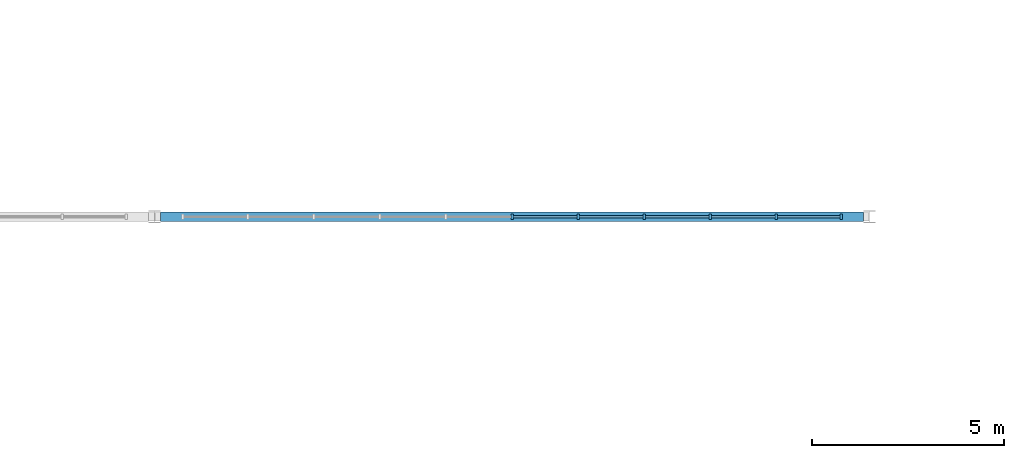
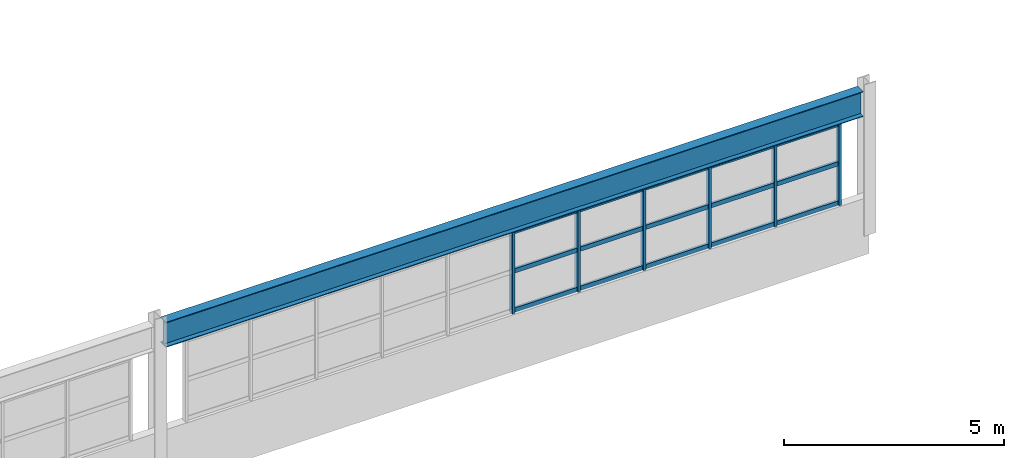
# One storey, part 22 of 92: 21 members, 1 beam, 1 element without a shape of its own.
"""IFC4 building model written with IfcOpenShell, lengths in metres."""

from ifc_helpers import new_model, si_unit, direction, frame, origin, origin_2d, place, context, subcontext, project, spatial, rectangle, i_section, extrude, material, material_profile, profile_set, type_object, element, aggregate, save


model = new_model("IFC4")

# Units and contexts
model_context = context("Model", 3, precision=1e-05, world=origin(), true_north=direction((0.0, 1.0)))
body_context = subcontext(model_context, "Body", "Model", "MODEL_VIEW")
ifc_project = project(units=[si_unit("LENGTHUNIT", "METRE"), si_unit("AREAUNIT", "SQUARE_METRE"), si_unit("VOLUMEUNIT", "CUBIC_METRE"), si_unit("PLANEANGLEUNIT", "RADIAN"), si_unit("MASSUNIT", "GRAM", prefix="KILO")], contexts=[model_context])

# Site, building, storey
site_placement = place(None, origin())
site = spatial("IfcSite", under=ifc_project, at=site_placement, CompositionType="ELEMENT")
building_placement = place(site_placement, origin())
building = spatial("IfcBuilding", under=site, at=building_placement, Name="Solanera Park Tramway Depot", CompositionType="ELEMENT")
storey_placement = place(building_placement, frame((0.0, 0.0, 4.800048828125)))
storey = spatial("IfcBuildingStorey", under=building, at=storey_placement, Name="L01", CompositionType="ELEMENT", Elevation=4.800048828125)

# Curtain wall, members
ifc_material_1 = material(Name="Bronze-anodised thermally broken aluminium curtain wall", Category="aluminium")
curtain_wall_type = type_object("IfcCurtainWallType", Name="Workshop Daylight Ribbon Curtain Wall", PredefinedType="NOTDEFINED", material=ifc_material_1)
curtain_wall_placement = place(storey_placement, origin())
curtain_wall = element("IfcCurtainWall", 1, at=curtain_wall_placement, inside=storey, type_object=curtain_wall_type, Name="L01 Workshop Daylight Ribbon Curtain Wall #150", PredefinedType="NOTDEFINED")
ifc_material_2 = material(Name="Bronze-anodised structural aluminium 6063-T6", Category="aluminium")
ifc_material_profile_1 = material_profile(ifc_material_2, rectangle(XDim=0.06494140625, YDim=0.14990234375, at=origin_2d()), Name="Curtain Wall Mullion 65x150")
ifc_profile_set_1 = profile_set([ifc_material_profile_1], Name="Bronze-anodised structural aluminium 6063-T6")
member_type_1 = type_object("IfcMemberType", Name="Curtain Wall Mullion 65x150", PredefinedType="MULLION", material=ifc_profile_set_1)
member_1_placement = place(storey_placement, frame((92.867431640625, 54.0, 1.0), z_axis=(0.0, 0.0, 1.0), x_axis=(1.0, 0.0, 0.0)))
member_1 = element("IfcMember", 2, at=member_1_placement, type_object=member_type_1, Name="CW-L01-150 Mullion 1", PredefinedType="MULLION", context=body_context, shape_type="SweptSolid", body=[
    extrude(rectangle(XDim=0.06494140625, YDim=0.14990234375, at=origin_2d()), origin(), (0.0, 0.0, 1.0), 2.300048828125),
])
member_2_placement = place(storey_placement, frame((91.179931640625, 54.0, 1.0), z_axis=(0.0, 0.0, 1.0), x_axis=(1.0, 0.0, 0.0)))
member_2 = element("IfcMember", 3, at=member_2_placement, type_object=member_type_1, Name="CW-L01-150 Mullion 2", PredefinedType="MULLION", context=body_context, shape_type="SweptSolid", body=[
    extrude(rectangle(XDim=0.06494140625, YDim=0.14990234375, at=origin_2d()), origin(), (0.0, 0.0, 1.0), 2.300048828125),
])
member_3_placement = place(storey_placement, frame((89.4599609375, 54.0, 1.0), z_axis=(0.0, 0.0, 1.0), x_axis=(1.0, 0.0, 0.0)))
member_3 = element("IfcMember", 4, at=member_3_placement, type_object=member_type_1, Name="CW-L01-150 Mullion 3", PredefinedType="MULLION", context=body_context, shape_type="SweptSolid", body=[
    extrude(rectangle(XDim=0.06494140625, YDim=0.14990234375, at=origin_2d()), origin(), (0.0, 0.0, 1.0), 2.300048828125),
])
member_4_placement = place(storey_placement, frame((87.739990234375, 54.0, 1.0), z_axis=(0.0, 0.0, 1.0), x_axis=(1.0, 0.0, 0.0)))
member_4 = element("IfcMember", 5, at=member_4_placement, type_object=member_type_1, Name="CW-L01-150 Mullion 4", PredefinedType="MULLION", context=body_context, shape_type="SweptSolid", body=[
    extrude(rectangle(XDim=0.06494140625, YDim=0.14990234375, at=origin_2d()), origin(), (0.0, 0.0, 1.0), 2.300048828125),
])
member_5_placement = place(storey_placement, frame((86.02001953125, 54.0, 1.0), z_axis=(0.0, 0.0, 1.0), x_axis=(1.0, 0.0, 0.0)))
member_5 = element("IfcMember", 6, at=member_5_placement, type_object=member_type_1, Name="CW-L01-150 Mullion 5", PredefinedType="MULLION", context=body_context, shape_type="SweptSolid", body=[
    extrude(rectangle(XDim=0.06494140625, YDim=0.14990234375, at=origin_2d()), origin(), (0.0, 0.0, 1.0), 2.300048828125),
])
member_6_placement = place(storey_placement, frame((84.300048828125, 54.0, 1.0), z_axis=(0.0, 0.0, 1.0), x_axis=(1.0, 0.0, 0.0)))
member_6 = element("IfcMember", 7, at=member_6_placement, type_object=member_type_1, Name="CW-L01-150 Mullion 6", PredefinedType="MULLION", context=body_context, shape_type="SweptSolid", body=[
    extrude(rectangle(XDim=0.06494140625, YDim=0.14990234375, at=origin_2d()), origin(), (0.0, 0.0, 1.0), 2.300048828125),
])
ifc_material_3 = material(Name="Bronze-anodised structural aluminium 6063-T6", Category="aluminium")
ifc_material_profile_2 = material_profile(ifc_material_3, rectangle(XDim=0.06494140625, YDim=0.1201171875, at=origin_2d()), Name="Curtain Wall Transom 65x120")
ifc_profile_set_2 = profile_set([ifc_material_profile_2], Name="Bronze-anodised structural aluminium 6063-T6")
member_type_2 = type_object("IfcMemberType", Name="Curtain Wall Transom 65x120", PredefinedType="USERDEFINED", material=ifc_profile_set_2)
member_7_placement = place(storey_placement, frame((92.839599609375, 54.0, 1.06005859375), z_axis=(-1.0, 0.0, 0.0), x_axis=(0.0, -1.0, 0.0)))
member_7 = element("IfcMember", 8, at=member_7_placement, type_object=member_type_2, Name="CW-L01-150 Transom R1.C1", ObjectType="TRANSOM", PredefinedType="USERDEFINED", context=body_context, shape_type="SweptSolid", body=[
    extrude(rectangle(XDim=0.06494140625, YDim=0.1201171875, at=origin_2d()), origin(), (0.0, 0.0, 1.0), 1.631591796875),
])
member_8_placement = place(storey_placement, frame((91.152099609375, 54.0, 1.06005859375), z_axis=(-1.0, 0.0, 0.0), x_axis=(0.0, -1.0, 0.0)))
member_8 = element("IfcMember", 9, at=member_8_placement, type_object=member_type_2, Name="CW-L01-150 Transom R1.C2", ObjectType="TRANSOM", PredefinedType="USERDEFINED", context=body_context, shape_type="SweptSolid", body=[
    extrude(rectangle(XDim=0.06494140625, YDim=0.1201171875, at=origin_2d()), origin(), (0.0, 0.0, 1.0), 1.6640625),
])
member_9_placement = place(storey_placement, frame((89.431884765625, 54.0, 1.06005859375), z_axis=(-1.0, 0.0, 0.0), x_axis=(0.0, -1.0, 0.0)))
member_9 = element("IfcMember", 10, at=member_9_placement, type_object=member_type_2, Name="CW-L01-150 Transom R1.C3", ObjectType="TRANSOM", PredefinedType="USERDEFINED", context=body_context, shape_type="SweptSolid", body=[
    extrude(rectangle(XDim=0.06494140625, YDim=0.1201171875, at=origin_2d()), origin(), (0.0, 0.0, 1.0), 1.663818359375),
])
member_10_placement = place(storey_placement, frame((87.7119140625, 54.0, 1.06005859375), z_axis=(-1.0, 0.0, 0.0), x_axis=(0.0, -1.0, 0.0)))
member_10 = element("IfcMember", 11, at=member_10_placement, type_object=member_type_2, Name="CW-L01-150 Transom R1.C4", ObjectType="TRANSOM", PredefinedType="USERDEFINED", context=body_context, shape_type="SweptSolid", body=[
    extrude(rectangle(XDim=0.06494140625, YDim=0.1201171875, at=origin_2d()), origin(), (0.0, 0.0, 1.0), 1.663818359375),
])
member_11_placement = place(storey_placement, frame((85.991943359375, 54.0, 1.06005859375), z_axis=(-1.0, 0.0, 0.0), x_axis=(0.0, -1.0, 0.0)))
member_11 = element("IfcMember", 12, at=member_11_placement, type_object=member_type_2, Name="CW-L01-150 Transom R1.C5", ObjectType="TRANSOM", PredefinedType="USERDEFINED", context=body_context, shape_type="SweptSolid", body=[
    extrude(rectangle(XDim=0.06494140625, YDim=0.1201171875, at=origin_2d()), origin(), (0.0, 0.0, 1.0), 1.6640625),
])
member_12_placement = place(storey_placement, frame((92.839599609375, 54.0, 2.14990234375), z_axis=(-1.0, 0.0, 0.0), x_axis=(0.0, -1.0, 0.0)))
member_12 = element("IfcMember", 13, at=member_12_placement, type_object=member_type_2, Name="CW-L01-150 Transom R2.C1", ObjectType="TRANSOM", PredefinedType="USERDEFINED", context=body_context, shape_type="SweptSolid", body=[
    extrude(rectangle(XDim=0.06494140625, YDim=0.1201171875, at=origin_2d()), origin(), (0.0, 0.0, 1.0), 1.631591796875),
])
member_13_placement = place(storey_placement, frame((91.152099609375, 54.0, 2.14990234375), z_axis=(-1.0, 0.0, 0.0), x_axis=(0.0, -1.0, 0.0)))
member_13 = element("IfcMember", 14, at=member_13_placement, type_object=member_type_2, Name="CW-L01-150 Transom R2.C2", ObjectType="TRANSOM", PredefinedType="USERDEFINED", context=body_context, shape_type="SweptSolid", body=[
    extrude(rectangle(XDim=0.06494140625, YDim=0.1201171875, at=origin_2d()), origin(), (0.0, 0.0, 1.0), 1.6640625),
])
member_14_placement = place(storey_placement, frame((89.431884765625, 54.0, 2.14990234375), z_axis=(-1.0, 0.0, 0.0), x_axis=(0.0, -1.0, 0.0)))
member_14 = element("IfcMember", 15, at=member_14_placement, type_object=member_type_2, Name="CW-L01-150 Transom R2.C3", ObjectType="TRANSOM", PredefinedType="USERDEFINED", context=body_context, shape_type="SweptSolid", body=[
    extrude(rectangle(XDim=0.06494140625, YDim=0.1201171875, at=origin_2d()), origin(), (0.0, 0.0, 1.0), 1.663818359375),
])
member_15_placement = place(storey_placement, frame((87.7119140625, 54.0, 2.14990234375), z_axis=(-1.0, 0.0, 0.0), x_axis=(0.0, -1.0, 0.0)))
member_15 = element("IfcMember", 16, at=member_15_placement, type_object=member_type_2, Name="CW-L01-150 Transom R2.C4", ObjectType="TRANSOM", PredefinedType="USERDEFINED", context=body_context, shape_type="SweptSolid", body=[
    extrude(rectangle(XDim=0.06494140625, YDim=0.1201171875, at=origin_2d()), origin(), (0.0, 0.0, 1.0), 1.663818359375),
])
member_16_placement = place(storey_placement, frame((85.991943359375, 54.0, 2.14990234375), z_axis=(-1.0, 0.0, 0.0), x_axis=(0.0, -1.0, 0.0)))
member_16 = element("IfcMember", 17, at=member_16_placement, type_object=member_type_2, Name="CW-L01-150 Transom R2.C5", ObjectType="TRANSOM", PredefinedType="USERDEFINED", context=body_context, shape_type="SweptSolid", body=[
    extrude(rectangle(XDim=0.06494140625, YDim=0.1201171875, at=origin_2d()), origin(), (0.0, 0.0, 1.0), 1.6640625),
])
member_17_placement = place(storey_placement, frame((92.839599609375, 54.0, 3.239990234375), z_axis=(-1.0, 0.0, 0.0), x_axis=(0.0, -1.0, 0.0)))
member_17 = element("IfcMember", 18, at=member_17_placement, type_object=member_type_2, Name="CW-L01-150 Transom R3.C1", ObjectType="TRANSOM", PredefinedType="USERDEFINED", context=body_context, shape_type="SweptSolid", body=[
    extrude(rectangle(XDim=0.06494140625, YDim=0.1201171875, at=origin_2d()), origin(), (0.0, 0.0, 1.0), 1.631591796875),
])
member_18_placement = place(storey_placement, frame((91.152099609375, 54.0, 3.239990234375), z_axis=(-1.0, 0.0, 0.0), x_axis=(0.0, -1.0, 0.0)))
member_18 = element("IfcMember", 19, at=member_18_placement, type_object=member_type_2, Name="CW-L01-150 Transom R3.C2", ObjectType="TRANSOM", PredefinedType="USERDEFINED", context=body_context, shape_type="SweptSolid", body=[
    extrude(rectangle(XDim=0.06494140625, YDim=0.1201171875, at=origin_2d()), origin(), (0.0, 0.0, 1.0), 1.6640625),
])
member_19_placement = place(storey_placement, frame((89.431884765625, 54.0, 3.239990234375), z_axis=(-1.0, 0.0, 0.0), x_axis=(0.0, -1.0, 0.0)))
member_19 = element("IfcMember", 20, at=member_19_placement, type_object=member_type_2, Name="CW-L01-150 Transom R3.C3", ObjectType="TRANSOM", PredefinedType="USERDEFINED", context=body_context, shape_type="SweptSolid", body=[
    extrude(rectangle(XDim=0.06494140625, YDim=0.1201171875, at=origin_2d()), origin(), (0.0, 0.0, 1.0), 1.663818359375),
])
member_20_placement = place(storey_placement, frame((87.7119140625, 54.0, 3.239990234375), z_axis=(-1.0, 0.0, 0.0), x_axis=(0.0, -1.0, 0.0)))
member_20 = element("IfcMember", 21, at=member_20_placement, type_object=member_type_2, Name="CW-L01-150 Transom R3.C4", ObjectType="TRANSOM", PredefinedType="USERDEFINED", context=body_context, shape_type="SweptSolid", body=[
    extrude(rectangle(XDim=0.06494140625, YDim=0.1201171875, at=origin_2d()), origin(), (0.0, 0.0, 1.0), 1.663818359375),
])
member_21_placement = place(storey_placement, frame((85.991943359375, 54.0, 3.239990234375), z_axis=(-1.0, 0.0, 0.0), x_axis=(0.0, -1.0, 0.0)))
member_21 = element("IfcMember", 22, at=member_21_placement, type_object=member_type_2, Name="CW-L01-150 Transom R3.C5", ObjectType="TRANSOM", PredefinedType="USERDEFINED", context=body_context, shape_type="SweptSolid", body=[
    extrude(rectangle(XDim=0.06494140625, YDim=0.1201171875, at=origin_2d()), origin(), (0.0, 0.0, 1.0), 1.6640625),
])
aggregate(curtain_wall, [member_1, member_2, member_3, member_4, member_5, member_6, member_7, member_8, member_9, member_10, member_11, member_12, member_13, member_14, member_15, member_16, member_17, member_18, member_19, member_20, member_21])

# Beam
ifc_material_4 = material(Name="Steel AS/NZS 3679.1 Grade 350", Category="steel")
ifc_material_profile_3 = material_profile(ifc_material_4, i_section(OverallWidth=0.25, OverallDepth=0.699951171875, WebThickness=0.010009765625, FlangeThickness=0.02001953125, at=origin_2d()), Name="700WB130")
ifc_profile_set_3 = profile_set([ifc_material_profile_3], Name="Steel AS/NZS 3679.1 Grade 350")
beam_type = type_object("IfcBeamType", Name="Steel Beam 700WB130", PredefinedType="BEAM", material=ifc_profile_set_3)
beam_placement = place(storey_placement, frame((75.1552734375, 54.0, 3.64990234375), z_axis=(1.0, 0.0, 0.0), x_axis=(0.0, 1.0, 0.0)))
element("IfcBeam", 23, at=beam_placement, inside=storey, type_object=beam_type, Name="Bridge Crane Runway Girder 700WB130 #0412", PredefinedType="BEAM", context=body_context, shape_type="SweptSolid", body=[
    extrude(i_section(OverallWidth=0.25, OverallDepth=0.699951171875, WebThickness=0.010009765625, FlangeThickness=0.02001953125, at=origin_2d()), origin(), (0.0, 0.0, 1.0), 18.289306640625),
])

save(model, "model.ifc")
